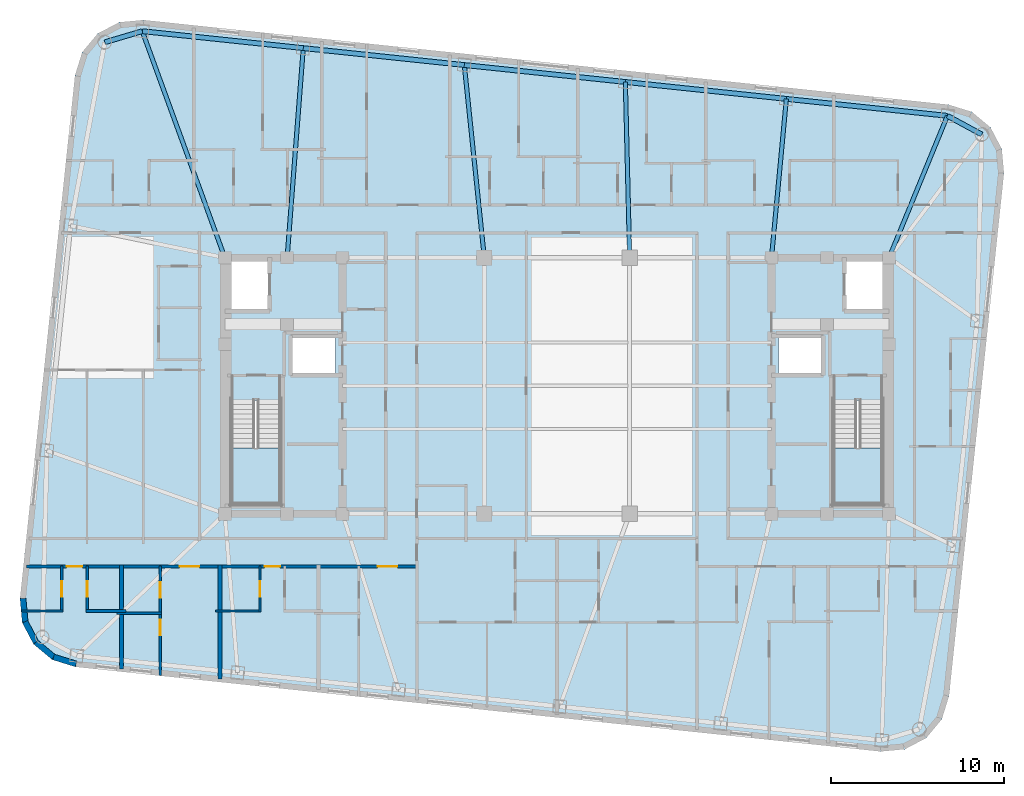
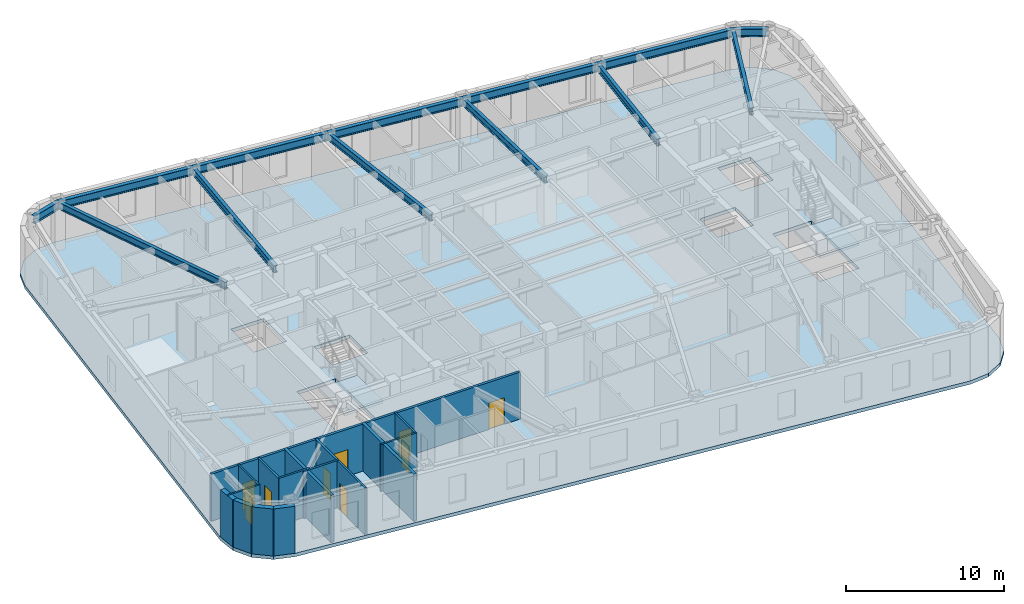
# One storey, part 2 of 11: 16 walls, 13 beams, 9 doors, 3 slabs, 9 openings, 2 elements without a shape of their own.
"""IFC4 building model written with IfcOpenShell, lengths in metres."""

from ifc_helpers import new_model, si_unit, direction, frame, frame_2d, origin, origin_2d, place, context, subcontext, project, spatial, polyline, rectangle, i_section, outline, extrude, material, layer, layer_set, material_profile, profile_set, type_object, element, fill, aggregate, save


model = new_model("IFC4")

# Units and contexts
model_context = context("Model", 3, precision=1e-05, world=origin(), true_north=direction((0.0, 1.0)))
body_context = subcontext(model_context, "Body", "Model", "MODEL_VIEW")
ifc_project = project(units=[si_unit("LENGTHUNIT", "METRE"), si_unit("AREAUNIT", "SQUARE_METRE"), si_unit("VOLUMEUNIT", "CUBIC_METRE"), si_unit("PLANEANGLEUNIT", "RADIAN"), si_unit("MASSUNIT", "GRAM", prefix="KILO")], contexts=[model_context])

# Site, building, storey
site_placement = place(None, origin())
site = spatial("IfcSite", under=ifc_project, at=site_placement, CompositionType="ELEMENT")
building_placement = place(site_placement, origin())
building = spatial("IfcBuilding", under=site, at=building_placement, Name="Voryun Gate Residences", CompositionType="ELEMENT")
storey_placement = place(building_placement, frame((0.0, 0.0, 302.89990234375)))
storey = spatial("IfcBuildingStorey", under=building, at=storey_placement, Name="L75", CompositionType="ELEMENT", Elevation=302.89990234375)

# Beams
ifc_material_1 = material(Name="Steel SM355", Category="steel")
ifc_material_profile_1 = material_profile(ifc_material_1, i_section(OverallWidth=0.280029296875, OverallDepth=0.6201171875, WebThickness=0.013916015625, FlangeThickness=0.02197265625, FilletRadius=0.01806640625, at=origin_2d()), Name="H-620x280x14x22")
ifc_profile_set_1 = profile_set([ifc_material_profile_1], Name="Steel SM355")
beam_type_1 = type_object("IfcBeamType", Name="BM_EXO_SPANDREL_H", PredefinedType="SPANDREL", material=ifc_profile_set_1)
beam_1_placement = place(storey_placement, frame((24.55322265625, 14.52734375, 3.3251953125), z_axis=(-0.878844363117, 0.477108567746, 0.0), x_axis=(-0.477108567746, -0.878844363117, 0.0)))
element("IfcBeam", 1, at=beam_1_placement, inside=storey, type_object=beam_type_1, Name="BM-L75-SPAND-10", PredefinedType="SPANDREL", context=body_context, shape_type="SweptSolid", body=[
    extrude(i_section(OverallWidth=0.280029296875, OverallDepth=0.6201171875, WebThickness=0.013916015625, FlangeThickness=0.02197265625, FilletRadius=0.01806640625, at=origin_2d()), origin(), (0.0, 0.0, 1.0), 2.257568359375),
])
beam_2_placement = place(storey_placement, frame((22.569091796875, 15.6044921875, 3.3251953125), z_axis=(-0.994520592114, 0.104540862157, 0.0), x_axis=(-0.104540862157, -0.994520592114, 0.0)))
element("IfcBeam", 2, at=beam_2_placement, inside=storey, type_object=beam_type_1, Name="BM-L75-SPAND-11", PredefinedType="SPANDREL", context=body_context, shape_type="SweptSolid", body=[
    extrude(i_section(OverallWidth=0.280029296875, OverallDepth=0.6201171875, WebThickness=0.013916015625, FlangeThickness=0.02197265625, FilletRadius=0.01806640625, at=origin_2d()), origin(), (0.0, 0.0, 1.0), 9.360107421875),
])
beam_3_placement = place(storey_placement, frame((13.26025390625, 16.5830078125, 3.3251953125), z_axis=(-0.994523018663, 0.104517775278, 0.0), x_axis=(-0.104517775278, -0.994523018663, 0.0)))
element("IfcBeam", 3, at=beam_3_placement, inside=storey, type_object=beam_type_1, Name="BM-L75-SPAND-12", PredefinedType="SPANDREL", context=body_context, shape_type="SweptSolid", body=[
    extrude(i_section(OverallWidth=0.280029296875, OverallDepth=0.6201171875, WebThickness=0.013916015625, FlangeThickness=0.02197265625, FilletRadius=0.01806640625, at=origin_2d()), origin(), (0.0, 0.0, 1.0), 9.35986328125),
])
for number, where, z_axis, x_axis, name in (
    (4, (3.95166015625, 17.561279296875, 3.3251953125), (-0.994520592114, 0.104540862157, 0.0), (-0.104540862157, -0.994520592114, 0.0), "BM-L75-SPAND-13"),
    (5, (-5.357177734375, 18.539794921875, 3.3251953125), (-0.994523303591, 0.104515064059, 0.0), (-0.104515064059, -0.994523303591, 0.0), "BM-L75-SPAND-14"),
):
    element("IfcBeam", number, at=place(storey_placement, frame(where, z_axis=z_axis, x_axis=x_axis)), inside=storey, type_object=beam_type_1, Name=name, PredefinedType="SPANDREL", context=body_context, shape_type="SweptSolid", body=[
        extrude(i_section(OverallWidth=0.280029296875, OverallDepth=0.6201171875, WebThickness=0.013916015625, FlangeThickness=0.02197265625, FilletRadius=0.01806640625, at=origin_2d()), origin(), (0.0, 0.0, 1.0), 9.360107421875),
    ])
beam_4_placement = place(storey_placement, frame((-14.666015625, 19.51806640625, 3.3251953125), z_axis=(-0.994520307047, 0.104543574031, 0.0), x_axis=(-0.104543574031, -0.994520307047, 0.0)))
element("IfcBeam", 6, at=beam_4_placement, inside=storey, type_object=beam_type_1, Name="BM-L75-SPAND-15", PredefinedType="SPANDREL", context=body_context, shape_type="SweptSolid", body=[
    extrude(i_section(OverallWidth=0.280029296875, OverallDepth=0.6201171875, WebThickness=0.013916015625, FlangeThickness=0.02197265625, FilletRadius=0.01806640625, at=origin_2d()), origin(), (0.0, 0.0, 1.0), 9.35986328125),
])
beam_5_placement = place(storey_placement, frame((-23.974609375, 20.49658203125, 3.3251953125), z_axis=(-0.958805748412, -0.28406255792, 0.0), x_axis=(0.28406255792, -0.958805748412, 0.0)))
element("IfcBeam", 7, at=beam_5_placement, inside=storey, type_object=beam_type_1, Name="BM-L75-SPAND-16", PredefinedType="SPANDREL", context=body_context, shape_type="SweptSolid", body=[
    extrude(i_section(OverallWidth=0.280029296875, OverallDepth=0.6201171875, WebThickness=0.013916015625, FlangeThickness=0.02197265625, FilletRadius=0.01806640625, at=origin_2d()), origin(), (0.0, 0.0, 1.0), 2.2578125),
])
ifc_material_2 = material(Name="Steel SM355", Category="steel")
ifc_material_profile_2 = material_profile(ifc_material_2, i_section(OverallWidth=0.239990234375, OverallDepth=0.550048828125, WebThickness=0.011962890625, FlangeThickness=0.02001953125, FilletRadius=0.01806640625, at=origin_2d()), Name="H-550x240x12x20")
ifc_profile_set_2 = profile_set([ifc_material_profile_2], Name="Steel SM355")
beam_type_2 = type_object("IfcBeamType", Name="BM_GIRD_550", PredefinedType="USERDEFINED", material=ifc_profile_set_2)
beam_6_placement = place(storey_placement, frame((19.199951171875, 7.39990234375, 3.360107421875), z_axis=(0.379860811741, 0.925043655026, 0.0), x_axis=(-0.925043655026, 0.379860811741, 0.0)))
element("IfcBeam", 8, at=beam_6_placement, inside=storey, type_object=beam_type_2, Name="BM-L75-RAD-N1", ObjectType="GIRDER", PredefinedType="USERDEFINED", context=body_context, shape_type="SweptSolid", body=[
    extrude(i_section(OverallWidth=0.239990234375, OverallDepth=0.550048828125, WebThickness=0.011962890625, FlangeThickness=0.02001953125, FilletRadius=0.01806640625, at=origin_2d()), origin(), (0.0, 0.0, 1.0), 8.869384765625),
])
beam_7_placement = place(storey_placement, frame((12.39990234375, 7.39990234375, 3.360107421875), z_axis=(0.093280030115, 0.995639912811, 0.0), x_axis=(-0.995639912811, 0.093280030115, 0.0)))
element("IfcBeam", 9, at=beam_7_placement, inside=storey, type_object=beam_type_2, Name="BM-L75-RAD-N2", ObjectType="GIRDER", PredefinedType="USERDEFINED", context=body_context, shape_type="SweptSolid", body=[
    extrude(i_section(OverallWidth=0.239990234375, OverallDepth=0.550048828125, WebThickness=0.011962890625, FlangeThickness=0.02001953125, FilletRadius=0.01806640625, at=origin_2d()), origin(), (0.0, 0.0, 1.0), 9.223388671875),
])
beam_8_placement = place(storey_placement, frame((4.199951171875, 7.39990234375, 3.360107421875), z_axis=(-0.024427489288, 0.999701604364, 0.0), x_axis=(-0.999701604364, -0.024427489288, 0.0)))
element("IfcBeam", 10, at=beam_8_placement, inside=storey, type_object=beam_type_2, Name="BM-L75-RAD-N3", ObjectType="GIRDER", PredefinedType="USERDEFINED", context=body_context, shape_type="SweptSolid", body=[
    extrude(i_section(OverallWidth=0.239990234375, OverallDepth=0.550048828125, WebThickness=0.011962890625, FlangeThickness=0.02001953125, FilletRadius=0.01806640625, at=origin_2d()), origin(), (0.0, 0.0, 1.0), 10.164306640625),
])
beam_9_placement = place(storey_placement, frame((-4.199951171875, 7.39990234375, 3.360107421875), z_axis=(-0.103325291149, 0.994647618109, 0.0), x_axis=(-0.994647618109, -0.103325291149, 0.0)))
element("IfcBeam", 11, at=beam_9_placement, inside=storey, type_object=beam_type_2, Name="BM-L75-RAD-N4", ObjectType="GIRDER", PredefinedType="USERDEFINED", context=body_context, shape_type="SweptSolid", body=[
    extrude(i_section(OverallWidth=0.239990234375, OverallDepth=0.550048828125, WebThickness=0.011962890625, FlangeThickness=0.02001953125, FilletRadius=0.01806640625, at=origin_2d()), origin(), (0.0, 0.0, 1.0), 11.199951171875),
])
beam_10_placement = place(storey_placement, frame((-15.60009765625, 7.39990234375, 3.360107421875), z_axis=(0.07685317718, 0.997042420942, 0.0), x_axis=(-0.997042420942, 0.07685317718, 0.0)))
element("IfcBeam", 12, at=beam_10_placement, inside=storey, type_object=beam_type_2, Name="BM-L75-RAD-N5", ObjectType="GIRDER", PredefinedType="USERDEFINED", context=body_context, shape_type="SweptSolid", body=[
    extrude(i_section(OverallWidth=0.239990234375, OverallDepth=0.550048828125, WebThickness=0.011962890625, FlangeThickness=0.02001953125, FilletRadius=0.01806640625, at=origin_2d()), origin(), (0.0, 0.0, 1.0), 12.154052734375),
])
beam_11_placement = place(storey_placement, frame((-19.199951171875, 7.39990234375, 3.360107421875), z_axis=(-0.342517773666, 0.939511348906, 0.0), x_axis=(-0.939511348906, -0.342517773666, 0.0)))
element("IfcBeam", 13, at=beam_11_placement, inside=storey, type_object=beam_type_2, Name="BM-L75-RAD-N6", ObjectType="GIRDER", PredefinedType="USERDEFINED", context=body_context, shape_type="SweptSolid", body=[
    extrude(i_section(OverallWidth=0.239990234375, OverallDepth=0.550048828125, WebThickness=0.011962890625, FlangeThickness=0.02001953125, FilletRadius=0.01806640625, at=origin_2d()), origin(), (0.0, 0.0, 1.0), 13.93994140625),
])

# Slab
ifc_material_3 = material(Name="Concrete C40/50", Category="concrete")
ifc_layer_1 = layer(ifc_material_3, 0.264892578125, Name="SLB_PENT_265")
ifc_layer_set_1 = layer_set([ifc_layer_1], Name="Concrete C40/50")
slab_type_1 = type_object("IfcSlabType", Name="SLB_PENT_265", PredefinedType="FLOOR", material=ifc_layer_set_1)
slab_1_placement = place(storey_placement, frame((0.0, 0.0, -0.264892578125)))
element("IfcSlab", 14, at=slab_1_placement, inside=storey, type_object=slab_type_1, Name="L75 Structural Floor Slab", PredefinedType="FLOOR", context=body_context, shape_type="SweptSolid", body=[
    extrude(outline(polyline([(-27.8369140625, -16.2509765625), (-29.178466796875, -15.83447265625), (-30.25830078125, -14.936279296875), (-30.912353515625, -13.693115234375), (-31.041015625, -12.29443359375), (-27.86328125, 17.93896484375), (-27.44677734375, 19.280517578125), (-26.548583984375, 20.3603515625), (-25.305419921875, 21.014404296875), (-23.90673828125, 21.14306640625), (22.636962890625, 16.2509765625), (23.978515625, 15.83447265625), (25.058349609375, 14.936279296875), (25.71240234375, 13.693115234375), (25.8408203125, 12.29443359375), (22.663330078125, -17.93896484375), (22.246826171875, -19.280517578125), (21.3486328125, -20.3603515625), (20.10546875, -21.014404296875), (18.706787109375, -21.14306640625), (-27.8369140625, -16.2509765625)]), holes=[polyline([(-15.97509765625, -0.840087890625), (-18.824951171875, -0.840087890625), (-18.824951171875, -6.85009765625), (-15.97509765625, -6.85009765625), (-15.97509765625, -0.840087890625)]), polyline([(18.824951171875, -6.85009765625), (18.824951171875, -0.840087890625), (15.97509765625, -0.840087890625), (15.97509765625, -6.85009765625), (18.824951171875, -6.85009765625)]), polyline([(-12.800048828125, 2.89990234375), (-15.39990234375, 2.89990234375), (-15.39990234375, 0.60009765625), (-12.800048828125, 0.60009765625), (-12.800048828125, 2.89990234375)]), polyline([(12.800048828125, 2.89990234375), (12.800048828125, 0.60009765625), (15.39990234375, 0.60009765625), (15.39990234375, 2.89990234375), (12.800048828125, 2.89990234375)]), polyline([(-16.60009765625, 7.199951171875), (-19.0, 7.199951171875), (-19.0, 4.300048828125), (-16.60009765625, 4.300048828125), (-16.60009765625, 7.199951171875)]), polyline([(19.0, 7.199951171875), (16.60009765625, 7.199951171875), (16.60009765625, 4.300048828125), (19.0, 4.300048828125), (19.0, 7.199951171875)])]), origin(), (0.0, 0.0, 1.0), 0.264892578125),
])

# Stair, slab
ifc_material_4 = material(Name="Concrete C40/50", Category="concrete")
stair_type = type_object("IfcStairType", Name="STR_CORE_DOGLEG_1350", PredefinedType="HALF_TURN_STAIR", material=ifc_material_4)
stair_1_placement = place(storey_placement, origin())
stair_1 = element("IfcStair", 15, at=stair_1_placement, inside=storey, type_object=stair_type, Name="L75 Special Escape Stair ST-W1", PredefinedType="HALF_TURN_STAIR")
ifc_material_5 = material(Name="Concrete C40/50", Category="concrete")
ifc_layer_2 = layer(ifc_material_5, 0.199951171875, Name="SLB_STAIR_LANDING_200")
ifc_layer_set_2 = layer_set([ifc_layer_2], Name="Concrete C40/50")
slab_type_2 = type_object("IfcSlabType", Name="SLB_STAIR_LANDING_200", PredefinedType="LANDING", material=ifc_layer_set_2)
slab_2_placement = place(storey_placement, frame((0.0, 0.0, 1.75)))
slab_2 = element("IfcSlab", 16, at=slab_2_placement, type_object=slab_type_2, Name="ST-W1 landing 1", PredefinedType="LANDING", context=body_context, shape_type="SweptSolid", body=[
    extrude(outline(polyline([(-18.824951171875, -3.60009765625), (-18.824951171875, -6.85009765625), (-15.97509765625, -6.85009765625), (-15.97509765625, -3.60009765625), (-18.824951171875, -3.60009765625)])), origin(), (0.0, 0.0, 1.0), 0.2001953125),
])
aggregate(stair_1, [slab_2])

stair_2_placement = place(storey_placement, origin())
stair_2 = element("IfcStair", 17, at=stair_2_placement, inside=storey, type_object=stair_type, Name="L75 Special Escape Stair ST-E1", PredefinedType="HALF_TURN_STAIR")
slab_3_placement = place(storey_placement, frame((0.0, 0.0, 1.75)))
slab_3 = element("IfcSlab", 18, at=slab_3_placement, type_object=slab_type_2, Name="ST-E1 landing 1", PredefinedType="LANDING", context=body_context, shape_type="SweptSolid", body=[
    extrude(outline(polyline([(15.97509765625, -3.60009765625), (15.97509765625, -6.85009765625), (18.824951171875, -6.85009765625), (18.824951171875, -3.60009765625), (15.97509765625, -3.60009765625)])), origin(), (0.0, 0.0, 1.0), 0.2001953125),
])
aggregate(stair_2, [slab_3])

# Wall, openings, doors
ifc_material_6 = material(Name="Gypsum acoustic fireboard")
ifc_layer_3 = layer(ifc_material_6, 0.179931640625, Name="W_CORR_RATED_180")
ifc_layer_set_3 = layer_set([ifc_layer_3], Name="Gypsum acoustic fireboard")
wall_type_1 = type_object("IfcWallType", Name="W_CORR_RATED_180", PredefinedType="PARTITIONING", material=ifc_layer_set_3)
wall_1_placement = place(storey_placement, frame((-30.676025390625, -10.449951171875, 0.0), z_axis=(0.0, 0.0, 1.0), x_axis=(1.0, 0.0, 0.0)))
wall_1 = element("IfcWall", 19, at=wall_1_placement, inside=storey, type_object=wall_type_1, Name="Partition wall WP-L75-SCORR-W", PredefinedType="PARTITIONING", context=body_context, shape_type="SweptSolid", body=[
    extrude(rectangle(XDim=22.595947265625, YDim=0.179931640625, at=frame_2d((11.2978515625, 0.0))), origin(), (0.0, 0.0, 1.0), 3.635009765625),
])
opening_1_placement = place(wall_1_placement, frame((2.336181640625, 0.0, 0.0)))
opening_1 = element("IfcOpeningElement", 20, at=opening_1_placement, cuts=wall_1, Name="Opening D-INT-2", PredefinedType="OPENING", context=body_context, shape_type="SweptSolid", body=[
    extrude(rectangle(XDim=0.89990234375, YDim=2.050048828125, at=frame_2d((0.449951171875, 1.02490234375))), frame((0.0, 0.099853515625, 0.0), z_axis=(0.0, -1.0, 0.0), x_axis=(1.0, 0.0, 0.0)), (0.0, 0.0, 1.0), 0.199951171875),
])
opening_2_placement = place(wall_1_placement, frame((8.861083984375, 0.0, 0.0)))
opening_2 = element("IfcOpeningElement", 21, at=opening_2_placement, cuts=wall_1, Name="Opening D-UNIT-1", PredefinedType="OPENING", context=body_context, shape_type="SweptSolid", body=[
    extrude(rectangle(XDim=1.14990234375, YDim=2.050048828125, at=frame_2d((0.574951171875, 1.02490234375))), frame((0.0, 0.099853515625, 0.0), z_axis=(0.0, -1.0, 0.0), x_axis=(1.0, 0.0, 0.0)), (0.0, 0.0, 1.0), 0.199951171875),
])
opening_3_placement = place(wall_1_placement, frame((13.774169921875, 0.0, 0.0)))
opening_3 = element("IfcOpeningElement", 22, at=opening_3_placement, cuts=wall_1, Name="Opening D-INT-2", PredefinedType="OPENING", context=body_context, shape_type="SweptSolid", body=[
    extrude(rectangle(XDim=0.89990234375, YDim=2.050048828125, at=frame_2d((0.449951171875, 1.02490234375))), frame((0.0, 0.099853515625, 0.0), z_axis=(0.0, -1.0, 0.0), x_axis=(1.0, 0.0, 0.0)), (0.0, 0.0, 1.0), 0.199951171875),
])
opening_4_placement = place(wall_1_placement, frame((20.30615234375, 0.0, 0.0)))
opening_4 = element("IfcOpeningElement", 23, at=opening_4_placement, cuts=wall_1, Name="Opening D-UNIT-1", PredefinedType="OPENING", context=body_context, shape_type="SweptSolid", body=[
    extrude(rectangle(XDim=1.14990234375, YDim=2.050048828125, at=frame_2d((0.574951171875, 1.02490234375))), frame((0.0, 0.099853515625, 0.0), z_axis=(0.0, -1.0, 0.0), x_axis=(1.0, 0.0, 0.0)), (0.0, 0.0, 1.0), 0.199951171875),
])
ifc_material_7 = material(Name="Architectural oak veneer")
door_type_1 = type_object("IfcDoorType", Name="DR_INT_BATH_900", OperationType="NOTDEFINED", PredefinedType="DOOR", material=ifc_material_7)
door_1_placement = place(opening_1_placement, origin())
door_1 = element("IfcDoor", 24, at=door_1_placement, inside=storey, type_object=door_type_1, Name="Door DR-L75-SENT-1", OperationType="SINGLE_SWING_RIGHT", OverallHeight=2.050048828125, OverallWidth=0.89990234375, PredefinedType="DOOR", context=body_context, shape_type="SweptSolid", body=[
    extrude(rectangle(XDim=0.89990234375, YDim=2.050048828125, at=frame_2d((0.449951171875, 1.02490234375))), frame((0.0, 0.02490234375, 0.0), z_axis=(0.0, -1.0, 0.0), x_axis=(1.0, 0.0, 0.0)), (0.0, 0.0, 1.0), 0.050048828125),
])
fill(opening_1, door_1)
door_2_placement = place(opening_3_placement, origin())
door_2 = element("IfcDoor", 25, at=door_2_placement, inside=storey, type_object=door_type_1, Name="Door DR-L75-SENT-3", OperationType="SINGLE_SWING_RIGHT", OverallHeight=2.050048828125, OverallWidth=0.89990234375, PredefinedType="DOOR", context=body_context, shape_type="SweptSolid", body=[
    extrude(rectangle(XDim=0.89990234375, YDim=2.050048828125, at=frame_2d((0.449951171875, 1.02490234375))), frame((0.0, 0.02490234375, 0.0), z_axis=(0.0, -1.0, 0.0), x_axis=(1.0, 0.0, 0.0)), (0.0, 0.0, 1.0), 0.050048828125),
])
fill(opening_3, door_2)
ifc_material_8 = material(Name="Armoured timber-clad fire door", Category="wood")
door_type_2 = type_object("IfcDoorType", Name="DR_UNIT_ENTRY_1150", OperationType="NOTDEFINED", PredefinedType="DOOR", material=ifc_material_8)
door_3_placement = place(opening_2_placement, origin())
door_3 = element("IfcDoor", 26, at=door_3_placement, inside=storey, type_object=door_type_2, Name="Door DR-L75-SENT-2", OperationType="SINGLE_SWING_LEFT", OverallHeight=2.050048828125, OverallWidth=1.14990234375, PredefinedType="DOOR", context=body_context, shape_type="SweptSolid", body=[
    extrude(rectangle(XDim=1.14990234375, YDim=2.050048828125, at=frame_2d((0.574951171875, 1.02490234375))), frame((0.0, 0.02490234375, 0.0), z_axis=(0.0, -1.0, 0.0), x_axis=(1.0, 0.0, 0.0)), (0.0, 0.0, 1.0), 0.050048828125),
])
fill(opening_2, door_3)
door_4_placement = place(opening_4_placement, origin())
door_4 = element("IfcDoor", 27, at=door_4_placement, inside=storey, type_object=door_type_2, Name="Door DR-L75-SENT-4", OperationType="SINGLE_SWING_LEFT", OverallHeight=2.050048828125, OverallWidth=1.14990234375, PredefinedType="DOOR", context=body_context, shape_type="SweptSolid", body=[
    extrude(rectangle(XDim=1.14990234375, YDim=2.050048828125, at=frame_2d((0.574951171875, 1.02490234375))), frame((0.0, 0.02490234375, 0.0), z_axis=(0.0, -1.0, 0.0), x_axis=(1.0, 0.0, 0.0)), (0.0, 0.0, 1.0), 0.050048828125),
])
fill(opening_4, door_4)

# Walls
ifc_material_9 = material(Name="Charcoal terracotta masonry", Category="masonry")
ifc_layer_4 = layer(ifc_material_9, 0.340087890625, Name="W_EXT_TERRACOTTA_340")
ifc_layer_set_4 = layer_set([ifc_layer_4], Name="Charcoal terracotta masonry")
wall_type_2 = type_object("IfcWallType", Name="W_EXT_TERRACOTTA_340", PredefinedType="ELEMENTEDWALL", material=ifc_layer_set_4)
wall_2_placement = place(storey_placement, frame((-27.802490234375, -16.083740234375, 0.0), z_axis=(0.0, 0.0, 1.0), x_axis=(-0.955007802701, 0.296580674994, 0.0)))
element("IfcWall", 28, at=wall_2_placement, inside=storey, type_object=wall_type_2, Name="Exterior wall WEXT-L75-02", PredefinedType="ELEMENTEDWALL", context=body_context, shape_type="SweptSolid", body=[
    extrude(rectangle(XDim=1.354248046875, YDim=0.340087890625, at=frame_2d((0.67724609375, 0.0))), origin(), (0.0, 0.0, 1.0), 3.635009765625),
])
wall_3_placement = place(storey_placement, frame((-29.095703125, -15.68212890625, 0.0), z_axis=(0.0, 0.0, 1.0), x_axis=(-0.768864427906, 0.639411832469, 0.0)))
element("IfcWall", 29, at=wall_3_placement, inside=storey, type_object=wall_type_2, Name="Exterior wall WEXT-L75-03", PredefinedType="ELEMENTEDWALL", context=body_context, shape_type="SweptSolid", body=[
    extrude(rectangle(XDim=1.337158203125, YDim=0.340087890625, at=frame_2d((0.66845703125, 0.0))), origin(), (0.0, 0.0, 1.0), 3.635009765625),
])
wall_4_placement = place(storey_placement, frame((-30.123779296875, -14.8271484375, 0.0), z_axis=(0.0, 0.0, 1.0), x_axis=(-0.465528132217, 0.885033083062, 0.0)))
element("IfcWall", 30, at=wall_4_placement, inside=storey, type_object=wall_type_2, Name="Exterior wall WEXT-L75-04", PredefinedType="ELEMENTEDWALL", context=body_context, shape_type="SweptSolid", body=[
    extrude(rectangle(XDim=1.3369140625, YDim=0.340087890625, at=frame_2d((0.66845703125, 0.0))), origin(), (0.0, 0.0, 1.0), 3.635009765625),
])
wall_5_placement = place(storey_placement, frame((-30.74609375, -13.64404296875, 0.0), z_axis=(0.0, 0.0, 1.0), x_axis=(-0.091592370975, 0.995796584438, 0.0)))
element("IfcWall", 31, at=wall_5_placement, inside=storey, type_object=wall_type_2, Name="Exterior wall WEXT-L75-05", PredefinedType="ELEMENTEDWALL", context=body_context, shape_type="SweptSolid", body=[
    extrude(rectangle(XDim=1.35400390625, YDim=0.340087890625, at=frame_2d((0.677001953125, 0.0))), origin(), (0.0, 0.0, 1.0), 3.635009765625),
])
ifc_material_10 = material(Name="Concrete C40/50", Category="concrete")
ifc_layer_5 = layer(ifc_material_10, 0.219970703125, Name="W_PARTY_ACOUSTIC_220")
ifc_layer_set_5 = layer_set([ifc_layer_5], Name="Concrete C40/50")
wall_type_3 = type_object("IfcWallType", Name="W_PARTY_ACOUSTIC_220", PredefinedType="PARTITIONING", material=ifc_layer_set_5)
wall_6_placement = place(storey_placement, frame((-25.177978515625, -16.359619140625, 0.0), z_axis=(0.0, 0.0, 1.0), x_axis=(0.0, 1.0, 0.0)))
element("IfcWall", 32, at=wall_6_placement, inside=storey, type_object=wall_type_3, Name="Partition wall WP-L75-SPTY-1", PredefinedType="PARTITIONING", context=body_context, shape_type="SweptSolid", body=[
    extrude(rectangle(XDim=5.989501953125, YDim=0.219970703125, at=frame_2d((2.99462890625, 0.0))), origin(), (0.0, 0.0, 1.0), 3.635009765625),
])
wall_7_placement = place(storey_placement, frame((-19.47802734375, -16.958740234375, 0.0), z_axis=(0.0, 0.0, 1.0), x_axis=(0.0, 1.0, 0.0)))
element("IfcWall", 33, at=wall_7_placement, inside=storey, type_object=wall_type_3, Name="Partition wall WP-L75-SPTY-2", PredefinedType="PARTITIONING", context=body_context, shape_type="SweptSolid", body=[
    extrude(rectangle(XDim=6.588623046875, YDim=0.219970703125, at=frame_2d((3.29443359375, 0.0))), origin(), (0.0, 0.0, 1.0), 3.635009765625),
])

# Wall, opening, door
ifc_material_11 = material(Name="Gypsum acoustic partition")
ifc_layer_6 = layer(ifc_material_11, 0.125, Name="W_UNIT_PART_125")
ifc_layer_set_6 = layer_set([ifc_layer_6], Name="Gypsum acoustic partition")
wall_type_4 = type_object("IfcWallType", Name="W_UNIT_PART_125", PredefinedType="PARTITIONING", material=ifc_layer_set_6)
wall_8_placement = place(storey_placement, frame((-28.626953125, -13.080078125, 0.0), z_axis=(0.0, 0.0, 1.0), x_axis=(0.0, 1.0, 0.0)))
wall_8 = element("IfcWall", 34, at=wall_8_placement, inside=storey, type_object=wall_type_4, Name="Partition wall WP-L75-S1-CVK", PredefinedType="PARTITIONING", context=body_context, shape_type="SweptSolid", body=[
    extrude(rectangle(XDim=2.650146484375, YDim=0.125, at=frame_2d((1.3251953125, 0.0))), origin(), (0.0, 0.0, 1.0), 3.635009765625),
])
opening_5_placement = place(wall_8_placement, frame((0.875, 0.0, 0.0)))
opening_5 = element("IfcOpeningElement", 35, at=opening_5_placement, cuts=wall_8, Name="Opening D-INT-2", PredefinedType="OPENING", context=body_context, shape_type="SweptSolid", body=[
    extrude(rectangle(XDim=0.89990234375, YDim=2.050048828125, at=frame_2d((0.449951171875, 1.02490234375))), frame((0.0, 0.072509765625, 0.0), z_axis=(0.0, -1.0, 0.0), x_axis=(1.0, 0.0, 0.0)), (0.0, 0.0, 1.0), 0.14501953125),
])
door_5_placement = place(opening_5_placement, origin())
door_5 = element("IfcDoor", 36, at=door_5_placement, inside=storey, type_object=door_type_1, Name="Door DR-L75-S1-DK", OperationType="SINGLE_SWING_LEFT", OverallHeight=2.050048828125, OverallWidth=0.89990234375, PredefinedType="DOOR", context=body_context, shape_type="SweptSolid", body=[
    extrude(rectangle(XDim=0.89990234375, YDim=2.050048828125, at=frame_2d((0.449951171875, 1.02490234375))), frame((0.0, 0.02490234375, 0.0), z_axis=(0.0, -1.0, 0.0), x_axis=(1.0, 0.0, 0.0)), (0.0, 0.0, 1.0), 0.050048828125),
])
fill(opening_5, door_5)

# Wall
wall_9_placement = place(storey_placement, frame((-30.9541015625, -13.02001953125, 0.0), z_axis=(0.0, 0.0, 1.0), x_axis=(1.0, 0.0, 0.0)))
element("IfcWall", 37, at=wall_9_placement, inside=storey, type_object=wall_type_4, Name="Partition wall WP-L75-S1-CHK", PredefinedType="PARTITIONING", context=body_context, shape_type="SweptSolid", body=[
    extrude(rectangle(XDim=2.38720703125, YDim=0.125, at=frame_2d((1.193603515625, 0.0))), origin(), (0.0, 0.0, 1.0), 3.635009765625),
])

# Wall, opening, door
wall_10_placement = place(storey_placement, frame((-17.16796875, -13.080078125, 0.0), z_axis=(0.0, 0.0, 1.0), x_axis=(0.0, 1.0, 0.0)))
wall_10 = element("IfcWall", 38, at=wall_10_placement, inside=storey, type_object=wall_type_4, Name="Partition wall WP-L75-S3-CVK", PredefinedType="PARTITIONING", context=body_context, shape_type="SweptSolid", body=[
    extrude(rectangle(XDim=2.650146484375, YDim=0.125, at=frame_2d((1.3251953125, 0.0))), origin(), (0.0, 0.0, 1.0), 3.635009765625),
])
opening_6_placement = place(wall_10_placement, frame((0.875, 0.0, 0.0)))
opening_6 = element("IfcOpeningElement", 39, at=opening_6_placement, cuts=wall_10, Name="Opening D-INT-2", PredefinedType="OPENING", context=body_context, shape_type="SweptSolid", body=[
    extrude(rectangle(XDim=0.89990234375, YDim=2.050048828125, at=frame_2d((0.449951171875, 1.02490234375))), frame((0.0, 0.072509765625, 0.0), z_axis=(0.0, -1.0, 0.0), x_axis=(1.0, 0.0, 0.0)), (0.0, 0.0, 1.0), 0.14501953125),
])
door_6_placement = place(opening_6_placement, origin())
door_6 = element("IfcDoor", 40, at=door_6_placement, inside=storey, type_object=door_type_1, Name="Door DR-L75-S3-DK", OperationType="SINGLE_SWING_LEFT", OverallHeight=2.050048828125, OverallWidth=0.89990234375, PredefinedType="DOOR", context=body_context, shape_type="SweptSolid", body=[
    extrude(rectangle(XDim=0.89990234375, YDim=2.050048828125, at=frame_2d((0.449951171875, 1.02490234375))), frame((0.0, 0.02490234375, 0.0), z_axis=(0.0, -1.0, 0.0), x_axis=(1.0, 0.0, 0.0)), (0.0, 0.0, 1.0), 0.050048828125),
])
fill(opening_6, door_6)

# Wall
wall_11_placement = place(storey_placement, frame((-19.738037109375, -13.02001953125, 0.0), z_axis=(0.0, 0.0, 1.0), x_axis=(1.0, 0.0, 0.0)))
element("IfcWall", 41, at=wall_11_placement, inside=storey, type_object=wall_type_4, Name="Partition wall WP-L75-S3-CHK", PredefinedType="PARTITIONING", context=body_context, shape_type="SweptSolid", body=[
    extrude(rectangle(XDim=2.630126953125, YDim=0.125, at=frame_2d((1.31494140625, 0.0))), origin(), (0.0, 0.0, 1.0), 3.635009765625),
])

# Wall, opening, door
ifc_material_12 = material(Name="Gypsum moisture-resistant partition")
ifc_layer_7 = layer(ifc_material_12, 0.14990234375, Name="W_WET_PLUMB_150")
ifc_layer_set_7 = layer_set([ifc_layer_7], Name="Gypsum moisture-resistant partition")
wall_type_5 = type_object("IfcWallType", Name="W_WET_PLUMB_150", PredefinedType="PLUMBINGWALL", material=ifc_layer_set_7)
wall_12_placement = place(storey_placement, frame((-27.155029296875, -13.080078125, 0.0), z_axis=(0.0, 0.0, 1.0), x_axis=(0.0, 1.0, 0.0)))
wall_12 = element("IfcWall", 42, at=wall_12_placement, inside=storey, type_object=wall_type_5, Name="Partition wall WP-L75-S1-CVB", PredefinedType="PLUMBINGWALL", context=body_context, shape_type="SweptSolid", body=[
    extrude(rectangle(XDim=2.650146484375, YDim=0.14990234375, at=frame_2d((1.3251953125, 0.0))), origin(), (0.0, 0.0, 1.0), 3.635009765625),
])
opening_7_placement = place(wall_12_placement, frame((0.875, 0.0, 0.0)))
opening_7 = element("IfcOpeningElement", 43, at=opening_7_placement, cuts=wall_12, Name="Opening D-INT-2", PredefinedType="OPENING", context=body_context, shape_type="SweptSolid", body=[
    extrude(rectangle(XDim=0.89990234375, YDim=2.050048828125, at=frame_2d((0.449951171875, 1.02490234375))), frame((0.0, 0.0849609375, 0.0), z_axis=(0.0, -1.0, 0.0), x_axis=(1.0, 0.0, 0.0)), (0.0, 0.0, 1.0), 0.169921875),
])
door_7_placement = place(opening_7_placement, origin())
door_7 = element("IfcDoor", 44, at=door_7_placement, inside=storey, type_object=door_type_1, Name="Door DR-L75-S1-DB", OperationType="SINGLE_SWING_RIGHT", OverallHeight=2.050048828125, OverallWidth=0.89990234375, PredefinedType="DOOR", context=body_context, shape_type="SweptSolid", body=[
    extrude(rectangle(XDim=0.89990234375, YDim=2.050048828125, at=frame_2d((0.449951171875, 1.02490234375))), frame((0.0, 0.02490234375, 0.0), z_axis=(0.0, -1.0, 0.0), x_axis=(1.0, 0.0, 0.0)), (0.0, 0.0, 1.0), 0.050048828125),
])
fill(opening_7, door_7)

# Walls
wall_13_placement = place(storey_placement, frame((-27.215087890625, -13.02001953125, 0.0), z_axis=(0.0, 0.0, 1.0), x_axis=(1.0, 0.0, 0.0)))
element("IfcWall", 45, at=wall_13_placement, inside=storey, type_object=wall_type_5, Name="Partition wall WP-L75-S1-CHB", PredefinedType="PLUMBINGWALL", context=body_context, shape_type="SweptSolid", body=[
    extrude(rectangle(XDim=2.297119140625, YDim=0.14990234375, at=frame_2d((1.1484375, 0.0))), origin(), (0.0, 0.0, 1.0), 3.635009765625),
])
wall_14_placement = place(storey_placement, frame((-25.43798828125, -13.14990234375, 0.0), z_axis=(0.0, 0.0, 1.0), x_axis=(1.0, 0.0, 0.0)))
element("IfcWall", 46, at=wall_14_placement, inside=storey, type_object=wall_type_5, Name="Partition wall WP-L75-S2-SKB", PredefinedType="PLUMBINGWALL", context=body_context, shape_type="SweptSolid", body=[
    extrude(rectangle(XDim=2.575927734375, YDim=0.14990234375, at=frame_2d((1.2880859375, 0.0))), origin(), (0.0, 0.0, 1.0), 3.635009765625),
])

# Wall, opening, door
wall_15_placement = place(storey_placement, frame((-22.94189453125, -16.745361328125, 0.0), z_axis=(0.0, 0.0, 1.0), x_axis=(0.0, 1.0, 0.0)))
wall_15 = element("IfcWall", 47, at=wall_15_placement, inside=storey, type_object=wall_type_5, Name="Partition wall WP-L75-S2-SVT1", PredefinedType="PLUMBINGWALL", context=body_context, shape_type="SweptSolid", body=[
    extrude(rectangle(XDim=3.63525390625, YDim=0.14990234375, at=frame_2d((1.817626953125, 0.0))), origin(), (0.0, 0.0, 1.0), 3.635009765625),
])
opening_8_placement = place(wall_15_placement, frame((2.31103515625, 0.0, 0.0)))
opening_8 = element("IfcOpeningElement", 48, at=opening_8_placement, cuts=wall_15, Name="Opening D-INT-2", PredefinedType="OPENING", context=body_context, shape_type="SweptSolid", body=[
    extrude(rectangle(XDim=0.89990234375, YDim=2.050048828125, at=frame_2d((0.449951171875, 1.02490234375))), frame((0.0, 0.0849609375, 0.0), z_axis=(0.0, -1.0, 0.0), x_axis=(1.0, 0.0, 0.0)), (0.0, 0.0, 1.0), 0.169921875),
])
door_8_placement = place(opening_8_placement, origin())
door_8 = element("IfcDoor", 49, at=door_8_placement, inside=storey, type_object=door_type_1, Name="Door DR-L75-S2-DK", OperationType="SINGLE_SWING_LEFT", OverallHeight=2.050048828125, OverallWidth=0.89990234375, PredefinedType="DOOR", context=body_context, shape_type="SweptSolid", body=[
    extrude(rectangle(XDim=0.89990234375, YDim=2.050048828125, at=frame_2d((0.449951171875, 1.02490234375))), frame((0.0, 0.02490234375, 0.0), z_axis=(0.0, -1.0, 0.0), x_axis=(1.0, 0.0, 0.0)), (0.0, 0.0, 1.0), 0.050048828125),
])
fill(opening_8, door_8)

wall_16_placement = place(storey_placement, frame((-22.94189453125, -13.18994140625, 0.0), z_axis=(0.0, 0.0, 1.0), x_axis=(0.0, 1.0, 0.0)))
wall_16 = element("IfcWall", 50, at=wall_16_placement, inside=storey, type_object=wall_type_5, Name="Partition wall WP-L75-S2-SVT2", PredefinedType="PLUMBINGWALL", context=body_context, shape_type="SweptSolid", body=[
    extrude(rectangle(XDim=2.760009765625, YDim=0.14990234375, at=frame_2d((1.3798828125, 0.0))), origin(), (0.0, 0.0, 1.0), 3.635009765625),
])
opening_9_placement = place(wall_16_placement, frame((0.929931640625, 0.0, 0.0)))
opening_9 = element("IfcOpeningElement", 51, at=opening_9_placement, cuts=wall_16, Name="Opening D-INT-2", PredefinedType="OPENING", context=body_context, shape_type="SweptSolid", body=[
    extrude(rectangle(XDim=0.89990234375, YDim=2.050048828125, at=frame_2d((0.449951171875, 1.02490234375))), frame((0.0, 0.0849609375, 0.0), z_axis=(0.0, -1.0, 0.0), x_axis=(1.0, 0.0, 0.0)), (0.0, 0.0, 1.0), 0.169921875),
])
door_9_placement = place(opening_9_placement, origin())
door_9 = element("IfcDoor", 52, at=door_9_placement, inside=storey, type_object=door_type_1, Name="Door DR-L75-S2-DB", OperationType="SINGLE_SWING_RIGHT", OverallHeight=2.050048828125, OverallWidth=0.89990234375, PredefinedType="DOOR", context=body_context, shape_type="SweptSolid", body=[
    extrude(rectangle(XDim=0.89990234375, YDim=2.050048828125, at=frame_2d((0.449951171875, 1.02490234375))), frame((0.0, 0.02490234375, 0.0), z_axis=(0.0, -1.0, 0.0), x_axis=(1.0, 0.0, 0.0)), (0.0, 0.0, 1.0), 0.050048828125),
])
fill(opening_9, door_9)

save(model, "model.ifc")
